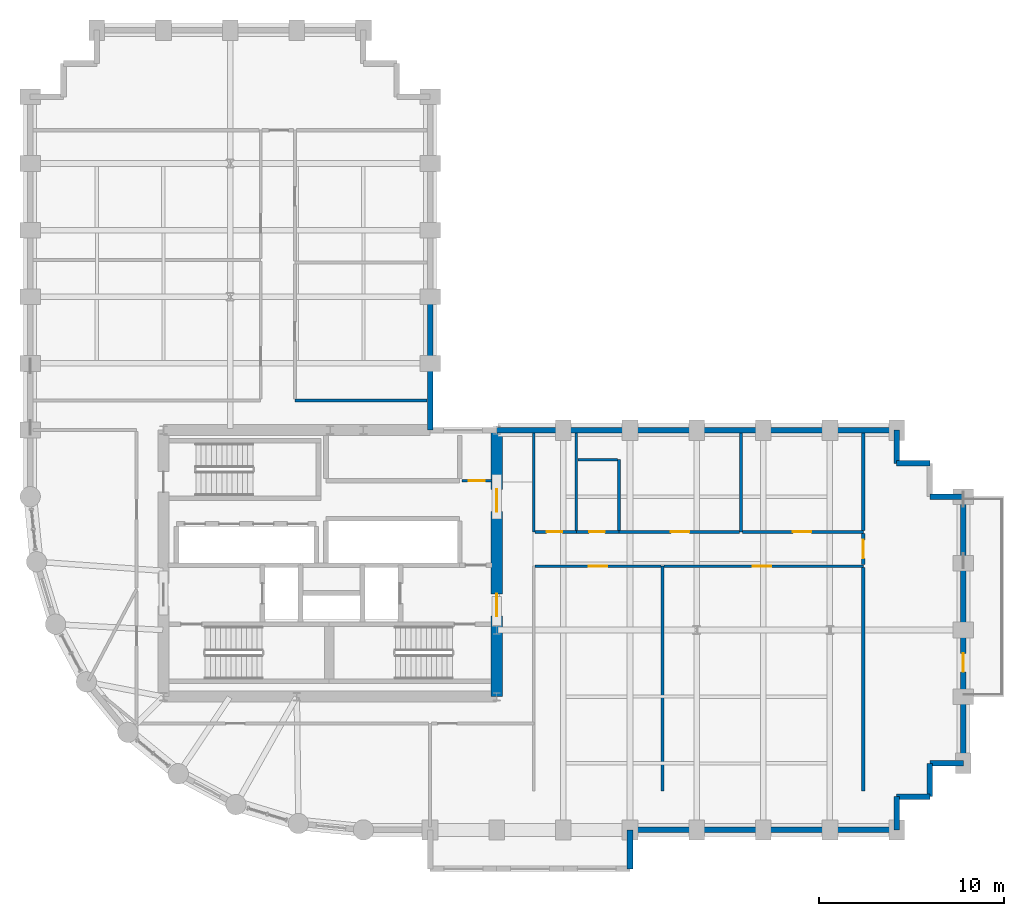
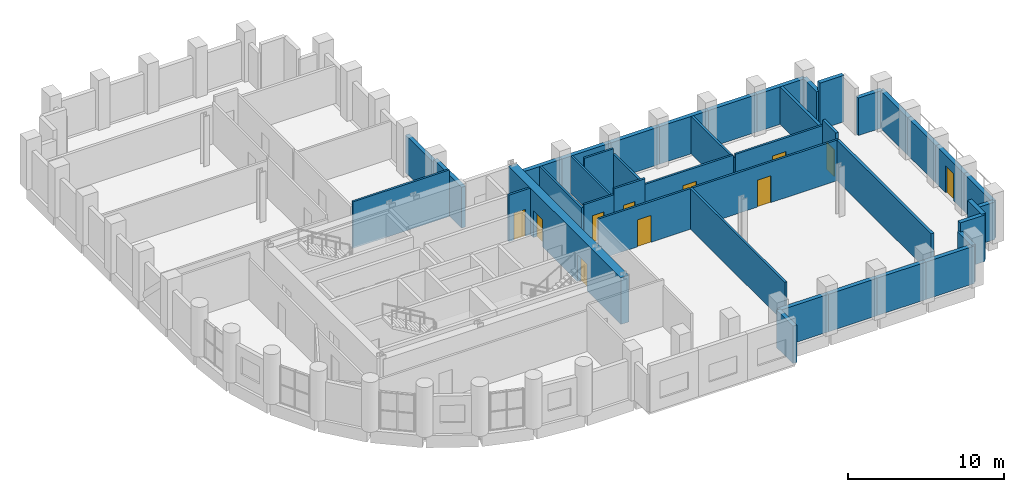
# One storey, part 8 of 11: 42 walls, 11 doors, 11 openings.
"""IFC4 building model written with IfcOpenShell, lengths in metres."""

from ifc_helpers import new_model, si_unit, direction, frame, frame_2d, origin, place, context, subcontext, project, spatial, rectangle, extrude, material, layer, layer_set, type_object, element, fill, save


model = new_model("IFC4")

# Units and contexts
model_context = context("Model", 3, precision=1e-05, world=origin(), true_north=direction((0.0, 1.0)))
body_context = subcontext(model_context, "Body", "Model", "MODEL_VIEW")
ifc_project = project(units=[si_unit("LENGTHUNIT", "METRE"), si_unit("AREAUNIT", "SQUARE_METRE"), si_unit("VOLUMEUNIT", "CUBIC_METRE"), si_unit("PLANEANGLEUNIT", "RADIAN"), si_unit("MASSUNIT", "GRAM", prefix="KILO")], contexts=[model_context])

# Site, building, storey
site_placement = place(None, origin())
site = spatial("IfcSite", under=ifc_project, at=site_placement, CompositionType="ELEMENT")
building_placement = place(site_placement, origin())
building = spatial("IfcBuilding", under=site, at=building_placement, Name="Solnavia Interchange Tower", CompositionType="ELEMENT")
storey_placement = place(building_placement, frame((0.0, 0.0, 99.60009765625)))
storey = spatial("IfcBuildingStorey", under=building, at=storey_placement, Name="L24", CompositionType="ELEMENT", Elevation=99.60009765625)

# Walls
ifc_material_1 = material(Name="Gypsum Acoustic Twin-Stud & Mineral Wool", Category="gypsum")
ifc_layer_1 = layer(ifc_material_1, 0.199951171875)
ifc_layer_set_1 = layer_set([ifc_layer_1], Name="Gypsum Acoustic Twin-Stud & Mineral Wool")
wall_type_1 = type_object("IfcWallType", Name="Wall-ApartmentParty-200", PredefinedType="PARTITIONING", material=ifc_layer_set_1)
wall_1_placement = place(storey_placement, frame((52.199951171875, 5.699951171875, 0.0), z_axis=(0.0, 0.0, 1.0), x_axis=(0.0, 1.0, 0.0)))
element("IfcWall", 1, at=wall_1_placement, inside=storey, type_object=wall_type_1, Name="PTW-L24-22 Interior partition wall", PredefinedType="PARTITIONING", context=body_context, shape_type="SweptSolid", body=[
    extrude(rectangle(XDim=12.071044921875, YDim=0.199951171875, at=frame_2d((6.03564453125, 0.0))), origin(), (0.0, 0.0, 1.0), 3.179931640625),
])
wall_2_placement = place(storey_placement, frame((52.199951171875, 19.779052734375, 0.0), z_axis=(0.0, 0.0, 1.0), x_axis=(0.0, 1.0, 0.0)))
element("IfcWall", 2, at=wall_2_placement, inside=storey, type_object=wall_type_1, Name="PTW-L24-23 Interior partition wall", PredefinedType="PARTITIONING", context=body_context, shape_type="SweptSolid", body=[
    extrude(rectangle(XDim=5.266845703125, YDim=0.199951171875, at=frame_2d((2.63330078125, 0.0))), origin(), (0.0, 0.0, 1.0), 2.929931640625),
])

# Wall, opening, door
wall_3_placement = place(storey_placement, frame((52.199951171875, 17.928955078125, 0.0), z_axis=(0.0, 0.0, 1.0), x_axis=(0.0, 1.0, 0.0)))
wall_3 = element("IfcWall", 3, at=wall_3_placement, inside=storey, type_object=wall_type_1, Name="PTW-L24-24 Interior partition wall", PredefinedType="PARTITIONING", context=body_context, shape_type="SweptSolid", body=[
    extrude(rectangle(XDim=1.692138671875, YDim=0.199951171875, at=frame_2d((0.84619140625, 0.0))), origin(), (0.0, 0.0, 1.0), 3.635009765625),
])
opening_1_placement = place(wall_3_placement, frame((0.339111328125, 0.0, 0.0)))
opening_1 = element("IfcOpeningElement", 4, at=opening_1_placement, cuts=wall_3, Name="Opening DR-06", PredefinedType="OPENING", context=body_context, shape_type="SweptSolid", body=[
    extrude(rectangle(XDim=1.0, YDim=2.10009765625, at=frame_2d((0.5, 1.050048828125))), frame((0.0, 0.10986328125, 0.0), z_axis=(0.0, -1.0, 0.0), x_axis=(1.0, 0.0, 0.0)), (0.0, 0.0, 1.0), 0.219970703125),
])
ifc_material_2 = material(Name="Engineered Timber Acoustic Fire Door", Category="wood")
door_type_1 = type_object("IfcDoorType", Name="Door-FlatEntry-1000x2100", OperationType="SINGLE_SWING_LEFT", PredefinedType="DOOR", material=ifc_material_2)
door_1_placement = place(opening_1_placement, origin())
door_1 = element("IfcDoor", 5, at=door_1_placement, inside=storey, type_object=door_type_1, Name="DR-L24-11 Interior room door", OperationType="SINGLE_SWING_RIGHT", OverallHeight=2.10009765625, OverallWidth=1.0, PredefinedType="DOOR", context=body_context, shape_type="SweptSolid", body=[
    extrude(rectangle(XDim=1.0, YDim=2.10009765625, at=frame_2d((0.5, 1.050048828125))), frame((0.0, 0.02490234375, 0.0), z_axis=(0.0, -1.0, 0.0), x_axis=(1.0, 0.0, 0.0)), (0.0, 0.0, 1.0), 0.050048828125),
])
fill(opening_1, door_1)

# Walls
ifc_material_3 = material(Name="Concrete C40/50", Category="concrete")
ifc_layer_2 = layer(ifc_material_3, 0.300048828125)
ifc_layer_set_2 = layer_set([ifc_layer_2], Name="Concrete C40/50")
wall_type_2 = type_object("IfcWallType", Name="Wall-ExtSpandrel-300", PredefinedType="STANDARD", material=ifc_layer_set_2)
wall_4_placement = place(storey_placement, frame((39.60009765625, 3.60009765625, 0.0), z_axis=(0.0, 0.0, 1.0), x_axis=(0.0, -1.0, 0.0)))
element("IfcWall", 6, at=wall_4_placement, inside=storey, type_object=wall_type_2, Name="EXW-L24-06 Exterior precast spandrel wall", PredefinedType="STANDARD", context=body_context, shape_type="SweptSolid", body=[
    extrude(rectangle(XDim=2.10009765625, YDim=0.300048828125, at=frame_2d((1.050048828125, 0.0))), origin(), (0.0, 0.0, 1.0), 2.929931640625),
])
wall_5_placement = place(storey_placement, frame((43.199951171875, 3.60009765625, 0.0), z_axis=(0.0, 0.0, 1.0), x_axis=(-1.0, 0.0, 0.0)))
element("IfcWall", 7, at=wall_5_placement, inside=storey, type_object=wall_type_2, Name="EXW-L24-07 Exterior precast spandrel wall", PredefinedType="STANDARD", context=body_context, shape_type="SweptSolid", body=[
    extrude(rectangle(XDim=3.599853515625, YDim=0.300048828125, at=frame_2d((1.7998046875, 0.0))), origin(), (0.0, 0.0, 1.0), 2.929931640625),
])
wall_6_placement = place(storey_placement, frame((46.800048828125, 3.60009765625, 0.0), z_axis=(0.0, 0.0, 1.0), x_axis=(-1.0, 0.0, 0.0)))
element("IfcWall", 8, at=wall_6_placement, inside=storey, type_object=wall_type_2, Name="EXW-L24-08 Exterior precast spandrel wall", PredefinedType="STANDARD", context=body_context, shape_type="SweptSolid", body=[
    extrude(rectangle(XDim=3.60009765625, YDim=0.300048828125, at=frame_2d((1.800048828125, 0.0))), origin(), (0.0, 0.0, 1.0), 2.929931640625),
])
wall_7_placement = place(storey_placement, frame((50.39990234375, 3.60009765625, 0.0), z_axis=(0.0, 0.0, 1.0), x_axis=(-1.0, 0.0, 0.0)))
element("IfcWall", 9, at=wall_7_placement, inside=storey, type_object=wall_type_2, Name="EXW-L24-09 Exterior precast spandrel wall", PredefinedType="STANDARD", context=body_context, shape_type="SweptSolid", body=[
    extrude(rectangle(XDim=3.599853515625, YDim=0.300048828125, at=frame_2d((1.7998046875, 0.0))), origin(), (0.0, 0.0, 1.0), 2.929931640625),
])
wall_8_placement = place(storey_placement, frame((54.0, 3.60009765625, 0.0), z_axis=(0.0, 0.0, 1.0), x_axis=(-1.0, 0.0, 0.0)))
element("IfcWall", 10, at=wall_8_placement, inside=storey, type_object=wall_type_2, Name="EXW-L24-10 Exterior precast spandrel wall", PredefinedType="STANDARD", context=body_context, shape_type="SweptSolid", body=[
    extrude(rectangle(XDim=3.60009765625, YDim=0.300048828125, at=frame_2d((1.800048828125, 0.0))), origin(), (0.0, 0.0, 1.0), 2.929931640625),
])
wall_9_placement = place(storey_placement, frame((54.0, 5.39990234375, 0.0), z_axis=(0.0, 0.0, 1.0), x_axis=(0.0, -1.0, 0.0)))
element("IfcWall", 11, at=wall_9_placement, inside=storey, type_object=wall_type_2, Name="EXW-L24-11 Exterior precast spandrel wall", PredefinedType="STANDARD", context=body_context, shape_type="SweptSolid", body=[
    extrude(rectangle(XDim=1.7998046875, YDim=0.300048828125, at=frame_2d((0.89990234375, 0.0))), origin(), (0.0, 0.0, 1.0), 2.929931640625),
])
for number, where, z_axis, x_axis, name in (
    (12, (55.800048828125, 5.39990234375, 0.0), (0.0, 0.0, 1.0), (-1.0, 0.0, 0.0), "EXW-L24-12 Exterior precast spandrel wall"),
    (13, (55.800048828125, 7.199951171875, 0.0), (0.0, 0.0, 1.0), (0.0, -1.0, 0.0), "EXW-L24-13 Exterior precast spandrel wall"),
):
    element("IfcWall", number, at=place(storey_placement, frame(where, z_axis=z_axis, x_axis=x_axis)), inside=storey, type_object=wall_type_2, Name=name, PredefinedType="STANDARD", context=body_context, shape_type="SweptSolid", body=[
        extrude(rectangle(XDim=1.800048828125, YDim=0.300048828125, at=frame_2d((0.89990234375, 0.0))), origin(), (0.0, 0.0, 1.0), 3.635009765625),
    ])
wall_10_placement = place(storey_placement, frame((57.60009765625, 7.199951171875, 0.0), z_axis=(0.0, 0.0, 1.0), x_axis=(-1.0, 0.0, 0.0)))
element("IfcWall", 14, at=wall_10_placement, inside=storey, type_object=wall_type_2, Name="EXW-L24-14 Exterior precast spandrel wall", PredefinedType="STANDARD", context=body_context, shape_type="SweptSolid", body=[
    extrude(rectangle(XDim=1.800048828125, YDim=0.300048828125, at=frame_2d((0.89990234375, 0.0))), origin(), (0.0, 0.0, 1.0), 2.929931640625),
])
wall_11_placement = place(storey_placement, frame((57.60009765625, 10.800048828125, 0.0), z_axis=(0.0, 0.0, 1.0), x_axis=(0.0, -1.0, 0.0)))
element("IfcWall", 15, at=wall_11_placement, inside=storey, type_object=wall_type_2, Name="EXW-L24-15 Exterior precast spandrel wall", PredefinedType="STANDARD", context=body_context, shape_type="SweptSolid", body=[
    extrude(rectangle(XDim=3.60009765625, YDim=0.300048828125, at=frame_2d((1.800048828125, 0.0))), origin(), (0.0, 0.0, 1.0), 2.929931640625),
])

# Wall, opening, door
wall_12_placement = place(storey_placement, frame((57.60009765625, 14.39990234375, 0.0), z_axis=(0.0, 0.0, 1.0), x_axis=(0.0, -1.0, 0.0)))
wall_12 = element("IfcWall", 16, at=wall_12_placement, inside=storey, type_object=wall_type_2, Name="EXW-L24-16 Exterior precast spandrel wall", PredefinedType="STANDARD", context=body_context, shape_type="SweptSolid", body=[
    extrude(rectangle(XDim=3.599853515625, YDim=0.300048828125, at=frame_2d((1.7998046875, 0.0))), origin(), (0.0, 0.0, 1.0), 2.929931640625),
])
opening_2_placement = place(wall_12_placement, frame((1.260986328125, 0.0, 0.0)))
opening_2 = element("IfcOpeningElement", 17, at=opening_2_placement, cuts=wall_12, Name="Opening EXD-05", PredefinedType="OPENING", context=body_context, shape_type="SweptSolid", body=[
    extrude(rectangle(XDim=1.0, YDim=2.10009765625, at=frame_2d((0.5, 1.050048828125))), frame((0.0, 0.16015625, 0.0), z_axis=(0.0, -1.0, 0.0), x_axis=(1.0, 0.0, 0.0)), (0.0, 0.0, 1.0), 0.320068359375),
])
ifc_material_4 = material(Name="Thermally Broken Aluminium & Laminated Glass", Category="aluminium")
door_type_2 = type_object("IfcDoorType", Name="Door-TerraceSingle-1000x2100", OperationType="SINGLE_SWING_LEFT", PredefinedType="DOOR", material=ifc_material_4)
door_2_placement = place(opening_2_placement, origin())
door_2 = element("IfcDoor", 18, at=door_2_placement, inside=storey, type_object=door_type_2, Name="EXD-L24-TER Spiral terrace glazed door", OperationType="SINGLE_SWING_LEFT", OverallHeight=2.10009765625, OverallWidth=1.0, PredefinedType="DOOR", context=body_context, shape_type="SweptSolid", body=[
    extrude(rectangle(XDim=1.0, YDim=2.10009765625, at=frame_2d((0.5, 1.050048828125))), frame((0.0, 0.02490234375, 0.0), z_axis=(0.0, -1.0, 0.0), x_axis=(1.0, 0.0, 0.0)), (0.0, 0.0, 1.0), 0.050048828125),
])
fill(opening_2, door_2)

# Walls
for number, where, z_axis, x_axis, name in (
    (19, (57.60009765625, 18.0, 0.0), (0.0, 0.0, 1.0), (0.0, -1.0, 0.0), "EXW-L24-17 Exterior precast spandrel wall"),
    (20, (57.60009765625, 21.60009765625, 0.0), (0.0, 0.0, 1.0), (0.0, -1.0, 0.0), "EXW-L24-18 Exterior precast spandrel wall"),
):
    element("IfcWall", number, at=place(storey_placement, frame(where, z_axis=z_axis, x_axis=x_axis)), inside=storey, type_object=wall_type_2, Name=name, PredefinedType="STANDARD", context=body_context, shape_type="SweptSolid", body=[
        extrude(rectangle(XDim=3.60009765625, YDim=0.300048828125, at=frame_2d((1.800048828125, 0.0))), origin(), (0.0, 0.0, 1.0), 2.929931640625),
    ])
wall_13_placement = place(storey_placement, frame((55.800048828125, 21.60009765625, 0.0), z_axis=(0.0, 0.0, 1.0), x_axis=(1.0, 0.0, 0.0)))
element("IfcWall", 21, at=wall_13_placement, inside=storey, type_object=wall_type_2, Name="EXW-L24-19 Exterior precast spandrel wall", PredefinedType="STANDARD", context=body_context, shape_type="SweptSolid", body=[
    extrude(rectangle(XDim=1.800048828125, YDim=0.300048828125, at=frame_2d((0.89990234375, 0.0))), origin(), (0.0, 0.0, 1.0), 2.929931640625),
])
wall_14_placement = place(storey_placement, frame((54.0, 23.39990234375, 0.0), z_axis=(0.0, 0.0, 1.0), x_axis=(1.0, 0.0, 0.0)))
element("IfcWall", 22, at=wall_14_placement, inside=storey, type_object=wall_type_2, Name="EXW-L24-21 Exterior precast spandrel wall", PredefinedType="STANDARD", context=body_context, shape_type="SweptSolid", body=[
    extrude(rectangle(XDim=1.800048828125, YDim=0.300048828125, at=frame_2d((0.89990234375, 0.0))), origin(), (0.0, 0.0, 1.0), 3.635009765625),
])
wall_15_placement = place(storey_placement, frame((54.0, 25.199951171875, 0.0), z_axis=(0.0, 0.0, 1.0), x_axis=(0.0, -1.0, 0.0)))
element("IfcWall", 23, at=wall_15_placement, inside=storey, type_object=wall_type_2, Name="EXW-L24-22 Exterior precast spandrel wall", PredefinedType="STANDARD", context=body_context, shape_type="SweptSolid", body=[
    extrude(rectangle(XDim=1.800048828125, YDim=0.300048828125, at=frame_2d((0.89990234375, 0.0))), origin(), (0.0, 0.0, 1.0), 2.929931640625),
])
wall_16_placement = place(storey_placement, frame((50.39990234375, 25.199951171875, 0.0), z_axis=(0.0, 0.0, 1.0), x_axis=(1.0, 0.0, 0.0)))
element("IfcWall", 24, at=wall_16_placement, inside=storey, type_object=wall_type_2, Name="EXW-L24-23 Exterior precast spandrel wall", PredefinedType="STANDARD", context=body_context, shape_type="SweptSolid", body=[
    extrude(rectangle(XDim=3.60009765625, YDim=0.300048828125, at=frame_2d((1.800048828125, 0.0))), origin(), (0.0, 0.0, 1.0), 2.929931640625),
])
wall_17_placement = place(storey_placement, frame((46.800048828125, 25.199951171875, 0.0), z_axis=(0.0, 0.0, 1.0), x_axis=(1.0, 0.0, 0.0)))
element("IfcWall", 25, at=wall_17_placement, inside=storey, type_object=wall_type_2, Name="EXW-L24-24 Exterior precast spandrel wall", PredefinedType="STANDARD", context=body_context, shape_type="SweptSolid", body=[
    extrude(rectangle(XDim=3.599853515625, YDim=0.300048828125, at=frame_2d((1.7998046875, 0.0))), origin(), (0.0, 0.0, 1.0), 2.929931640625),
])
wall_18_placement = place(storey_placement, frame((43.199951171875, 25.199951171875, 0.0), z_axis=(0.0, 0.0, 1.0), x_axis=(1.0, 0.0, 0.0)))
element("IfcWall", 26, at=wall_18_placement, inside=storey, type_object=wall_type_2, Name="EXW-L24-25 Exterior precast spandrel wall", PredefinedType="STANDARD", context=body_context, shape_type="SweptSolid", body=[
    extrude(rectangle(XDim=3.60009765625, YDim=0.300048828125, at=frame_2d((1.800048828125, 0.0))), origin(), (0.0, 0.0, 1.0), 2.929931640625),
])
wall_19_placement = place(storey_placement, frame((39.60009765625, 25.199951171875, 0.0), z_axis=(0.0, 0.0, 1.0), x_axis=(1.0, 0.0, 0.0)))
element("IfcWall", 27, at=wall_19_placement, inside=storey, type_object=wall_type_2, Name="EXW-L24-26 Exterior precast spandrel wall", PredefinedType="STANDARD", context=body_context, shape_type="SweptSolid", body=[
    extrude(rectangle(XDim=3.599853515625, YDim=0.300048828125, at=frame_2d((1.7998046875, 0.0))), origin(), (0.0, 0.0, 1.0), 2.929931640625),
])
for number, where, z_axis, x_axis, name in (
    (28, (36.0, 25.199951171875, 0.0), (0.0, 0.0, 1.0), (1.0, 0.0, 0.0), "EXW-L24-27 Exterior precast spandrel wall"),
    (29, (32.39990234375, 25.199951171875, 0.0), (0.0, 0.0, 1.0), (1.0, 0.0, 0.0), "EXW-L24-28 Exterior precast spandrel wall"),
):
    element("IfcWall", number, at=place(storey_placement, frame(where, z_axis=z_axis, x_axis=x_axis)), inside=storey, type_object=wall_type_2, Name=name, PredefinedType="STANDARD", context=body_context, shape_type="SweptSolid", body=[
        extrude(rectangle(XDim=3.60009765625, YDim=0.300048828125, at=frame_2d((1.800048828125, 0.0))), origin(), (0.0, 0.0, 1.0), 2.929931640625),
    ])
wall_20_placement = place(storey_placement, frame((28.800048828125, 28.800048828125, 0.0), z_axis=(0.0, 0.0, 1.0), x_axis=(0.0, -1.0, 0.0)))
element("IfcWall", 30, at=wall_20_placement, inside=storey, type_object=wall_type_2, Name="EXW-L24-30 Exterior precast spandrel wall", PredefinedType="STANDARD", context=body_context, shape_type="SweptSolid", body=[
    extrude(rectangle(XDim=3.60009765625, YDim=0.300048828125, at=frame_2d((1.800048828125, 0.0))), origin(), (0.0, 0.0, 1.0), 3.18994140625),
])
wall_21_placement = place(storey_placement, frame((28.800048828125, 32.39990234375, 0.0), z_axis=(0.0, 0.0, 1.0), x_axis=(0.0, -1.0, 0.0)))
element("IfcWall", 31, at=wall_21_placement, inside=storey, type_object=wall_type_2, Name="EXW-L24-31 Exterior precast spandrel wall", PredefinedType="STANDARD", context=body_context, shape_type="SweptSolid", body=[
    extrude(rectangle(XDim=3.599853515625, YDim=0.300048828125, at=frame_2d((1.7998046875, 0.0))), origin(), (0.0, 0.0, 1.0), 2.929931640625),
])

# Wall, opening, door
ifc_material_5 = material(Name="Gypsum Plasterboard & Steel Stud", Category="steel")
ifc_layer_3 = layer(ifc_material_5, 0.14990234375)
ifc_layer_set_3 = layer_set([ifc_layer_3], Name="Gypsum Plasterboard & Steel Stud")
wall_type_3 = type_object("IfcWallType", Name="Wall-Partition-150", PredefinedType="PARTITIONING", material=ifc_layer_set_3)
wall_22_placement = place(storey_placement, frame((30.52001953125, 22.4599609375, 0.0), z_axis=(0.0, 0.0, 1.0), x_axis=(1.0, 0.0, 0.0)))
wall_22 = element("IfcWall", 32, at=wall_22_placement, inside=storey, type_object=wall_type_3, Name="CSW-L24-NE-S Core shaft wall", PredefinedType="PARTITIONING", context=body_context, shape_type="SweptSolid", body=[
    extrude(rectangle(XDim=1.6298828125, YDim=0.14990234375, at=frame_2d((0.81494140625, 0.0))), origin(), (0.0, 0.0, 1.0), 3.635009765625),
])
opening_3_placement = place(wall_22_placement, frame((0.3798828125, 0.0, 0.0)))
opening_3 = element("IfcOpeningElement", 33, at=opening_3_placement, cuts=wall_22, Name="Opening DR-10", PredefinedType="OPENING", context=body_context, shape_type="SweptSolid", body=[
    extrude(rectangle(XDim=0.85009765625, YDim=2.10009765625, at=frame_2d((0.425048828125, 1.050048828125))), frame((0.0, 0.0849609375, 0.0), z_axis=(0.0, -1.0, 0.0), x_axis=(1.0, 0.0, 0.0)), (0.0, 0.0, 1.0), 0.169921875),
])
ifc_material_6 = material(Name="Moisture-Resistant Timber Door", Category="wood")
door_type_3 = type_object("IfcDoorType", Name="Door-Bathroom-850x2100", OperationType="SINGLE_SWING_RIGHT", PredefinedType="DOOR", material=ifc_material_6)
door_3_placement = place(opening_3_placement, origin())
door_3 = element("IfcDoor", 34, at=door_3_placement, inside=storey, type_object=door_type_3, Name="DR-L24-CNE1 Core fire door", OperationType="SINGLE_SWING_RIGHT", OverallHeight=2.10009765625, OverallWidth=0.85009765625, PredefinedType="DOOR", context=body_context, shape_type="SweptSolid", body=[
    extrude(rectangle(XDim=0.85009765625, YDim=2.10009765625, at=frame_2d((0.425048828125, 1.050048828125))), frame((0.0, 0.02490234375, 0.0), z_axis=(0.0, -1.0, 0.0), x_axis=(1.0, 0.0, 0.0)), (0.0, 0.0, 1.0), 0.050048828125),
])
fill(opening_3, door_3)

# Wall
wall_23_placement = place(storey_placement, frame((41.35009765625, 5.699951171875, 0.0), z_axis=(0.0, 0.0, 1.0), x_axis=(0.0, 1.0, 0.0)))
element("IfcWall", 35, at=wall_23_placement, inside=storey, type_object=wall_type_3, Name="PTW-L24-16 Interior partition wall", PredefinedType="PARTITIONING", context=body_context, shape_type="SweptSolid", body=[
    extrude(rectangle(XDim=12.150146484375, YDim=0.14990234375, at=frame_2d((6.0751953125, 0.0))), origin(), (0.0, 0.0, 1.0), 3.179931640625),
])

# Wall, opening, door
wall_24_placement = place(storey_placement, frame((34.47900390625, 17.85009765625, 0.0), z_axis=(0.0, 0.0, 1.0), x_axis=(1.0, 0.0, 0.0)))
wall_24 = element("IfcWall", 36, at=wall_24_placement, inside=storey, type_object=wall_type_3, Name="PTW-L24-17 Interior partition wall", PredefinedType="PARTITIONING", context=body_context, shape_type="SweptSolid", body=[
    extrude(rectangle(XDim=6.7919921875, YDim=0.14990234375, at=frame_2d((3.39599609375, 0.0))), origin(), (0.0, 0.0, 1.0), 3.179931640625),
])
opening_4_placement = place(wall_24_placement, frame((2.89599609375, 0.0, 0.0)))
opening_4 = element("IfcOpeningElement", 37, at=opening_4_placement, cuts=wall_24, Name="Opening DR-07", PredefinedType="OPENING", context=body_context, shape_type="SweptSolid", body=[
    extrude(rectangle(XDim=1.0, YDim=2.10009765625, at=frame_2d((0.5, 1.050048828125))), frame((0.0, 0.0849609375, 0.0), z_axis=(0.0, -1.0, 0.0), x_axis=(1.0, 0.0, 0.0)), (0.0, 0.0, 1.0), 0.169921875),
])
ifc_material_7 = material(Name="Timber & Acoustic Glazed Office Door", Category="wood")
door_type_4 = type_object("IfcDoorType", Name="Door-Office-1000x2100", OperationType="SINGLE_SWING_RIGHT", PredefinedType="DOOR", material=ifc_material_7)
door_4_placement = place(opening_4_placement, origin())
door_4 = element("IfcDoor", 38, at=door_4_placement, inside=storey, type_object=door_type_4, Name="DR-L24-07 Interior room door", OperationType="SINGLE_SWING_LEFT", OverallHeight=2.10009765625, OverallWidth=1.0, PredefinedType="DOOR", context=body_context, shape_type="SweptSolid", body=[
    extrude(rectangle(XDim=1.0, YDim=2.10009765625, at=frame_2d((0.5, 1.050048828125))), frame((0.0, 0.02490234375, 0.0), z_axis=(0.0, -1.0, 0.0), x_axis=(1.0, 0.0, 0.0)), (0.0, 0.0, 1.0), 0.050048828125),
])
fill(opening_4, door_4)

wall_25_placement = place(storey_placement, frame((41.428955078125, 17.85009765625, 0.0), z_axis=(0.0, 0.0, 1.0), x_axis=(1.0, 0.0, 0.0)))
wall_25 = element("IfcWall", 39, at=wall_25_placement, inside=storey, type_object=wall_type_3, Name="PTW-L24-18 Interior partition wall", PredefinedType="PARTITIONING", context=body_context, shape_type="SweptSolid", body=[
    extrude(rectangle(XDim=10.77099609375, YDim=0.14990234375, at=frame_2d((5.385498046875, 0.0))), origin(), (0.0, 0.0, 1.0), 3.179931640625),
])
opening_5_placement = place(wall_25_placement, frame((4.805908203125, 0.0, 0.0)))
opening_5 = element("IfcOpeningElement", 40, at=opening_5_placement, cuts=wall_25, Name="Opening DR-07", PredefinedType="OPENING", context=body_context, shape_type="SweptSolid", body=[
    extrude(rectangle(XDim=1.0, YDim=2.10009765625, at=frame_2d((0.5, 1.050048828125))), frame((0.0, 0.0849609375, 0.0), z_axis=(0.0, -1.0, 0.0), x_axis=(1.0, 0.0, 0.0)), (0.0, 0.0, 1.0), 0.169921875),
])
door_5_placement = place(opening_5_placement, origin())
door_5 = element("IfcDoor", 41, at=door_5_placement, inside=storey, type_object=door_type_4, Name="DR-L24-08 Interior room door", OperationType="SINGLE_SWING_RIGHT", OverallHeight=2.10009765625, OverallWidth=1.0, PredefinedType="DOOR", context=body_context, shape_type="SweptSolid", body=[
    extrude(rectangle(XDim=1.0, YDim=2.10009765625, at=frame_2d((0.5, 1.050048828125))), frame((0.0, 0.02490234375, 0.0), z_axis=(0.0, -1.0, 0.0), x_axis=(1.0, 0.0, 0.0)), (0.0, 0.0, 1.0), 0.050048828125),
])
fill(opening_5, door_5)

# Wall
wall_26_placement = place(storey_placement, frame((45.60009765625, 19.699951171875, 0.0), z_axis=(0.0, 0.0, 1.0), x_axis=(0.0, 1.0, 0.0)))
element("IfcWall", 42, at=wall_26_placement, inside=storey, type_object=wall_type_3, Name="PTW-L24-19 Interior partition wall", PredefinedType="PARTITIONING", context=body_context, shape_type="SweptSolid", body=[
    extrude(rectangle(XDim=5.345947265625, YDim=0.14990234375, at=frame_2d((2.6728515625, 0.0))), origin(), (0.0, 0.0, 1.0), 2.929931640625),
])

# Wall, opening, door
wall_27_placement = place(storey_placement, frame((39.0, 19.699951171875, 0.0), z_axis=(0.0, 0.0, 1.0), x_axis=(1.0, 0.0, 0.0)))
wall_27 = element("IfcWall", 43, at=wall_27_placement, inside=storey, type_object=wall_type_3, Name="PTW-L24-20 Interior partition wall", PredefinedType="PARTITIONING", context=body_context, shape_type="SweptSolid", body=[
    extrude(rectangle(XDim=6.52099609375, YDim=0.14990234375, at=frame_2d((3.260498046875, 0.0))), origin(), (0.0, 0.0, 1.0), 3.18994140625),
])
opening_6_placement = place(wall_27_placement, frame((2.800048828125, 0.0, 0.0)))
opening_6 = element("IfcOpeningElement", 44, at=opening_6_placement, cuts=wall_27, Name="Opening DR-07", PredefinedType="OPENING", context=body_context, shape_type="SweptSolid", body=[
    extrude(rectangle(XDim=1.0, YDim=2.10009765625, at=frame_2d((0.5, 1.050048828125))), frame((0.0, 0.0849609375, 0.0), z_axis=(0.0, -1.0, 0.0), x_axis=(1.0, 0.0, 0.0)), (0.0, 0.0, 1.0), 0.169921875),
])
door_6_placement = place(opening_6_placement, origin())
door_6 = element("IfcDoor", 45, at=door_6_placement, inside=storey, type_object=door_type_4, Name="DR-L24-09 Interior room door", OperationType="SINGLE_SWING_RIGHT", OverallHeight=2.10009765625, OverallWidth=1.0, PredefinedType="DOOR", context=body_context, shape_type="SweptSolid", body=[
    extrude(rectangle(XDim=1.0, YDim=2.10009765625, at=frame_2d((0.5, 1.050048828125))), frame((0.0, 0.02490234375, 0.0), z_axis=(0.0, -1.0, 0.0), x_axis=(1.0, 0.0, 0.0)), (0.0, 0.0, 1.0), 0.050048828125),
])
fill(opening_6, door_6)

wall_28_placement = place(storey_placement, frame((45.678955078125, 19.699951171875, 0.0), z_axis=(0.0, 0.0, 1.0), x_axis=(1.0, 0.0, 0.0)))
wall_28 = element("IfcWall", 46, at=wall_28_placement, inside=storey, type_object=wall_type_3, Name="PTW-L24-21 Interior partition wall", PredefinedType="PARTITIONING", context=body_context, shape_type="SweptSolid", body=[
    extrude(rectangle(XDim=6.52099609375, YDim=0.14990234375, at=frame_2d((3.260498046875, 0.0))), origin(), (0.0, 0.0, 1.0), 3.18994140625),
])
opening_7_placement = place(wall_28_placement, frame((2.720947265625, 0.0, 0.0)))
opening_7 = element("IfcOpeningElement", 47, at=opening_7_placement, cuts=wall_28, Name="Opening DR-07", PredefinedType="OPENING", context=body_context, shape_type="SweptSolid", body=[
    extrude(rectangle(XDim=1.0, YDim=2.10009765625, at=frame_2d((0.5, 1.050048828125))), frame((0.0, 0.0849609375, 0.0), z_axis=(0.0, -1.0, 0.0), x_axis=(1.0, 0.0, 0.0)), (0.0, 0.0, 1.0), 0.169921875),
])
door_7_placement = place(opening_7_placement, origin())
door_7 = element("IfcDoor", 48, at=door_7_placement, inside=storey, type_object=door_type_4, Name="DR-L24-10 Interior room door", OperationType="SINGLE_SWING_RIGHT", OverallHeight=2.10009765625, OverallWidth=1.0, PredefinedType="DOOR", context=body_context, shape_type="SweptSolid", body=[
    extrude(rectangle(XDim=1.0, YDim=2.10009765625, at=frame_2d((0.5, 1.050048828125))), frame((0.0, 0.02490234375, 0.0), z_axis=(0.0, -1.0, 0.0), x_axis=(1.0, 0.0, 0.0)), (0.0, 0.0, 1.0), 0.050048828125),
])
fill(opening_7, door_7)

# Wall
wall_29_placement = place(storey_placement, frame((21.5, 26.800048828125, 0.0), z_axis=(0.0, 0.0, 1.0), x_axis=(1.0, 0.0, 0.0)))
element("IfcWall", 49, at=wall_29_placement, inside=storey, type_object=wall_type_3, Name="PTW-L24-29 Interior partition wall", PredefinedType="PARTITIONING", context=body_context, shape_type="SweptSolid", body=[
    extrude(rectangle(XDim=7.14599609375, YDim=0.14990234375, at=frame_2d((3.572998046875, 0.0))), origin(), (0.0, 0.0, 1.0), 3.635009765625),
])

# Wall, openings, doors
ifc_material_8 = material(Name="Concrete C60/75", Category="concrete")
ifc_layer_4 = layer(ifc_material_8, 0.60009765625)
ifc_layer_set_4 = layer_set([ifc_layer_4], Name="Concrete C60/75")
wall_type_4 = type_object("IfcWallType", Name="Wall-ShearCore-600", PredefinedType="SHEAR", material=ifc_layer_set_4)
wall_30_placement = place(storey_placement, frame((32.39990234375, 10.800048828125, 0.0), z_axis=(0.0, 0.0, 1.0), x_axis=(0.0, 1.0, 0.0)))
wall_30 = element("IfcWall", 50, at=wall_30_placement, inside=storey, type_object=wall_type_4, Name="CRW-L24-E Core shear wall", PredefinedType="SHEAR", context=body_context, shape_type="SweptSolid", body=[
    extrude(rectangle(XDim=14.39990234375, YDim=0.60009765625, at=frame_2d((7.199951171875, 0.0))), origin(), (0.0, 0.0, 1.0), 3.64990234375),
])
opening_8_placement = place(wall_30_placement, frame((4.35009765625, 0.0, 0.0)))
opening_8 = element("IfcOpeningElement", 51, at=opening_8_placement, cuts=wall_30, Name="Opening DR-02", PredefinedType="OPENING", context=body_context, shape_type="SweptSolid", body=[
    extrude(rectangle(XDim=1.199951171875, YDim=2.10009765625, at=frame_2d((0.60009765625, 1.050048828125))), frame((0.0, 0.31005859375, 0.0), z_axis=(0.0, -1.0, 0.0), x_axis=(1.0, 0.0, 0.0)), (0.0, 0.0, 1.0), 0.6201171875),
])
opening_9_placement = place(wall_30_placement, frame((10.0, 0.0, 0.0)))
opening_9 = element("IfcOpeningElement", 52, at=opening_9_placement, cuts=wall_30, Name="Opening DR-02", PredefinedType="OPENING", context=body_context, shape_type="SweptSolid", body=[
    extrude(rectangle(XDim=1.199951171875, YDim=2.10009765625, at=frame_2d((0.60009765625, 1.050048828125))), frame((0.0, 0.31005859375, 0.0), z_axis=(0.0, -1.0, 0.0), x_axis=(1.0, 0.0, 0.0)), (0.0, 0.0, 1.0), 0.6201171875),
])
ifc_material_9 = material(Name="Steel Fire-Rated Vision-Panel Door", Category="steel")
door_type_5 = type_object("IfcDoorType", Name="Door-LobbyFire-1200x2100", OperationType="SINGLE_SWING_RIGHT", PredefinedType="DOOR", material=ifc_material_9)
door_8_placement = place(opening_8_placement, origin())
door_8 = element("IfcDoor", 53, at=door_8_placement, inside=storey, type_object=door_type_5, Name="DR-L24-FFL2E Core fire door", OperationType="SINGLE_SWING_LEFT", OverallHeight=2.10009765625, OverallWidth=1.199951171875, PredefinedType="DOOR", context=body_context, shape_type="SweptSolid", body=[
    extrude(rectangle(XDim=1.199951171875, YDim=2.10009765625, at=frame_2d((0.60009765625, 1.050048828125))), frame((0.0, 0.02490234375, 0.0), z_axis=(0.0, -1.0, 0.0), x_axis=(1.0, 0.0, 0.0)), (0.0, 0.0, 1.0), 0.050048828125),
])
fill(opening_8, door_8)
door_9_placement = place(opening_9_placement, origin())
door_9 = element("IfcDoor", 54, at=door_9_placement, inside=storey, type_object=door_type_5, Name="DR-L24-LLE Core fire door", OperationType="SINGLE_SWING_RIGHT", OverallHeight=2.10009765625, OverallWidth=1.199951171875, PredefinedType="DOOR", context=body_context, shape_type="SweptSolid", body=[
    extrude(rectangle(XDim=1.199951171875, YDim=2.10009765625, at=frame_2d((0.60009765625, 1.050048828125))), frame((0.0, 0.02490234375, 0.0), z_axis=(0.0, -1.0, 0.0), x_axis=(1.0, 0.0, 0.0)), (0.0, 0.0, 1.0), 0.050048828125),
])
fill(opening_9, door_9)

# Wall
ifc_material_10 = material(Name="Moisture-Resistant Gypsum & Steel Stud", Category="steel")
ifc_layer_5 = layer(ifc_material_10, 0.14990234375)
ifc_layer_set_5 = layer_set([ifc_layer_5], Name="Moisture-Resistant Gypsum & Steel Stud")
wall_type_5 = type_object("IfcWallType", Name="Wall-WetRoom-150", PredefinedType="PARTITIONING", material=ifc_layer_set_5)
wall_31_placement = place(storey_placement, frame((34.39990234375, 19.699951171875, 0.0), z_axis=(0.0, 0.0, 1.0), x_axis=(0.0, 1.0, 0.0)))
element("IfcWall", 55, at=wall_31_placement, inside=storey, type_object=wall_type_5, Name="PTW-L24-01 Interior partition wall", PredefinedType="PARTITIONING", context=body_context, shape_type="SweptSolid", body=[
    extrude(rectangle(XDim=5.345947265625, YDim=0.14990234375, at=frame_2d((2.6728515625, 0.0))), origin(), (0.0, 0.0, 1.0), 2.929931640625),
])

# Wall, opening, door
wall_32_placement = place(storey_placement, frame((34.47900390625, 19.699951171875, 0.0), z_axis=(0.0, 0.0, 1.0), x_axis=(1.0, 0.0, 0.0)))
wall_32 = element("IfcWall", 56, at=wall_32_placement, inside=storey, type_object=wall_type_5, Name="PTW-L24-02 Interior partition wall", PredefinedType="PARTITIONING", context=body_context, shape_type="SweptSolid", body=[
    extrude(rectangle(XDim=2.220947265625, YDim=0.14990234375, at=frame_2d((1.1103515625, 0.0))), origin(), (0.0, 0.0, 1.0), 3.179931640625),
])
opening_10_placement = place(wall_32_placement, frame((0.617919921875, 0.0, 0.0)))
opening_10 = element("IfcOpeningElement", 57, at=opening_10_placement, cuts=wall_32, Name="Opening DR-10", PredefinedType="OPENING", context=body_context, shape_type="SweptSolid", body=[
    extrude(rectangle(XDim=0.85009765625, YDim=2.10009765625, at=frame_2d((0.425048828125, 1.050048828125))), frame((0.0, 0.0849609375, 0.0), z_axis=(0.0, -1.0, 0.0), x_axis=(1.0, 0.0, 0.0)), (0.0, 0.0, 1.0), 0.169921875),
])
door_10_placement = place(opening_10_placement, origin())
door_10 = element("IfcDoor", 58, at=door_10_placement, inside=storey, type_object=door_type_3, Name="DR-L24-01 Interior room door", OperationType="SINGLE_SWING_LEFT", OverallHeight=2.10009765625, OverallWidth=0.85009765625, PredefinedType="DOOR", context=body_context, shape_type="SweptSolid", body=[
    extrude(rectangle(XDim=0.85009765625, YDim=2.10009765625, at=frame_2d((0.425048828125, 1.050048828125))), frame((0.0, 0.02490234375, 0.0), z_axis=(0.0, -1.0, 0.0), x_axis=(1.0, 0.0, 0.0)), (0.0, 0.0, 1.0), 0.050048828125),
])
fill(opening_10, door_10)

# Wall
wall_33_placement = place(storey_placement, frame((36.699951171875, 19.779052734375, 0.0), z_axis=(0.0, 0.0, 1.0), x_axis=(0.0, 1.0, 0.0)))
element("IfcWall", 59, at=wall_33_placement, inside=storey, type_object=wall_type_5, Name="PTW-L24-03 Interior partition wall", PredefinedType="PARTITIONING", context=body_context, shape_type="SweptSolid", body=[
    extrude(rectangle(XDim=5.266845703125, YDim=0.14990234375, at=frame_2d((2.63330078125, 0.0))), origin(), (0.0, 0.0, 1.0), 2.929931640625),
])

# Wall, opening, door
wall_34_placement = place(storey_placement, frame((36.699951171875, 19.699951171875, 0.0), z_axis=(0.0, 0.0, 1.0), x_axis=(1.0, 0.0, 0.0)))
wall_34 = element("IfcWall", 60, at=wall_34_placement, inside=storey, type_object=wall_type_5, Name="PTW-L24-04 Interior partition wall", PredefinedType="PARTITIONING", context=body_context, shape_type="SweptSolid", body=[
    extrude(rectangle(XDim=2.300048828125, YDim=0.14990234375, at=frame_2d((1.14990234375, 0.0))), origin(), (0.0, 0.0, 1.0), 3.635009765625),
])
opening_11_placement = place(wall_34_placement, frame((0.697021484375, 0.0, 0.0)))
opening_11 = element("IfcOpeningElement", 61, at=opening_11_placement, cuts=wall_34, Name="Opening DR-10", PredefinedType="OPENING", context=body_context, shape_type="SweptSolid", body=[
    extrude(rectangle(XDim=0.85009765625, YDim=2.10009765625, at=frame_2d((0.425048828125, 1.050048828125))), frame((0.0, 0.0849609375, 0.0), z_axis=(0.0, -1.0, 0.0), x_axis=(1.0, 0.0, 0.0)), (0.0, 0.0, 1.0), 0.169921875),
])
door_11_placement = place(opening_11_placement, origin())
door_11 = element("IfcDoor", 62, at=door_11_placement, inside=storey, type_object=door_type_3, Name="DR-L24-02 Interior room door", OperationType="SINGLE_SWING_RIGHT", OverallHeight=2.10009765625, OverallWidth=0.85009765625, PredefinedType="DOOR", context=body_context, shape_type="SweptSolid", body=[
    extrude(rectangle(XDim=0.85009765625, YDim=2.10009765625, at=frame_2d((0.425048828125, 1.050048828125))), frame((0.0, 0.02490234375, 0.0), z_axis=(0.0, -1.0, 0.0), x_axis=(1.0, 0.0, 0.0)), (0.0, 0.0, 1.0), 0.050048828125),
])
fill(opening_11, door_11)

# Walls
wall_35_placement = place(storey_placement, frame((39.0, 19.779052734375, 0.0), z_axis=(0.0, 0.0, 1.0), x_axis=(0.0, 1.0, 0.0)))
element("IfcWall", 63, at=wall_35_placement, inside=storey, type_object=wall_type_5, Name="PTW-L24-05 Interior partition wall", PredefinedType="PARTITIONING", context=body_context, shape_type="SweptSolid", body=[
    extrude(rectangle(XDim=3.821044921875, YDim=0.14990234375, at=frame_2d((1.91064453125, 0.0))), origin(), (0.0, 0.0, 1.0), 3.179931640625),
])
wall_36_placement = place(storey_placement, frame((36.779052734375, 23.60009765625, 0.0), z_axis=(0.0, 0.0, 1.0), x_axis=(1.0, 0.0, 0.0)))
element("IfcWall", 64, at=wall_36_placement, inside=storey, type_object=wall_type_5, Name="PTW-L24-06 Interior partition wall", PredefinedType="PARTITIONING", context=body_context, shape_type="SweptSolid", body=[
    extrude(rectangle(XDim=2.141845703125, YDim=0.14990234375, at=frame_2d((1.07080078125, 0.0))), origin(), (0.0, 0.0, 1.0), 3.635009765625),
])

save(model, "model.ifc")
